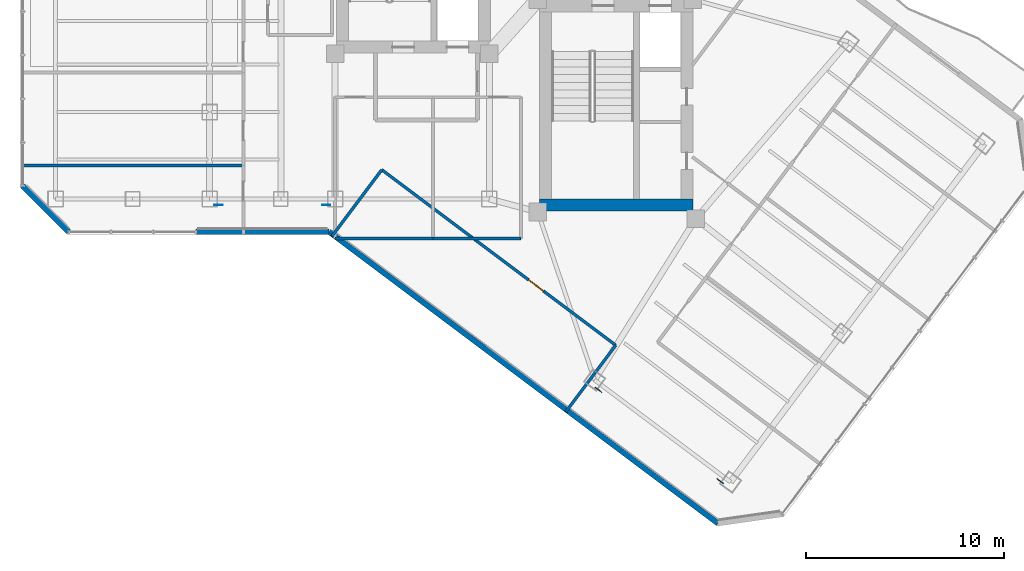
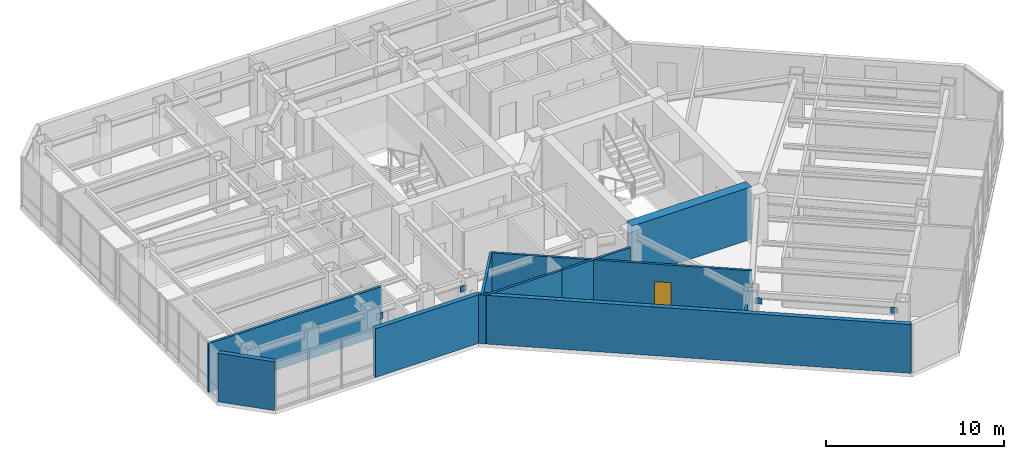
# One storey, part 21 of 27: 10 walls, 4 plates, 1 door, 1 opening.
"""IFC4 building model written with IfcOpenShell, lengths in metres."""

from ifc_helpers import new_model, si_unit, direction, frame, frame_2d, origin, origin_2d, place, context, subcontext, project, spatial, rectangle, extrude, material, layer, layer_set, type_object, element, fill, save


model = new_model("IFC4")

# Units and contexts
model_context = context("Model", 3, precision=1e-05, world=origin(), true_north=direction((0.0, 1.0)))
body_context = subcontext(model_context, "Body", "Model", "MODEL_VIEW")
ifc_project = project(units=[si_unit("LENGTHUNIT", "METRE"), si_unit("AREAUNIT", "SQUARE_METRE"), si_unit("VOLUMEUNIT", "CUBIC_METRE"), si_unit("PLANEANGLEUNIT", "RADIAN"), si_unit("MASSUNIT", "GRAM", prefix="KILO")], contexts=[model_context])

# Site, building, storey
site_placement = place(None, origin())
site = spatial("IfcSite", under=ifc_project, at=site_placement, CompositionType="ELEMENT")
building_placement = place(site_placement, origin())
building = spatial("IfcBuilding", under=site, at=building_placement, Name="Hatsunagi Terrace Concourse", CompositionType="ELEMENT")
storey_placement = place(building_placement, frame((0.0, 0.0, 163.64990234375)))
storey = spatial("IfcBuildingStorey", under=building, at=storey_placement, Name="L43", CompositionType="ELEMENT", Elevation=163.64990234375)

# Plates
ifc_material_1 = material(Name="Steel SN490C", Category="steel")
ifc_layer_1 = layer(ifc_material_1, 0.031982421875)
ifc_layer_set_1 = layer_set([ifc_layer_1], Name="XBraceNodeCapPlate_32")
plate_type = type_object("IfcPlateType", Name="XBraceNodeCapPlate_32", PredefinedType="USERDEFINED", material=ifc_layer_set_1)
for number, where, z_axis, x_axis, name in (
    (1, (19.64990234375, 24.89990234375, 2.7001953125), (0.0, 0.0, 1.0), (1.0, 0.0, 0.0), "Cast-In Core and Node Embed Plate GP-02 EP-XB-L41-W1-AT"),
    (2, (25.10009765625, 24.89990234375, 2.7001953125), (0.0, 0.0, 1.0), (1.0, 0.0, 0.0), "Cast-In Core and Node Embed Plate GP-02 EP-XB-L41-W1-BT"),
    (3, (38.8720703125, 15.5458984375, 2.7001953125), (0.0, 0.0, 1.0), (0.799999996291, -0.600000004945, 0.0), "Cast-In Core and Node Embed Plate GP-02 EP-XB-L41-SE-AT"),
    (4, (45.031982421875, 10.926025390625, 2.7001953125), (0.0, 0.0, 1.0), (0.799999996291, -0.600000004945, 0.0), "Cast-In Core and Node Embed Plate GP-02 EP-XB-L41-SE-BT"),
):
    element("IfcPlate", number, at=place(storey_placement, frame(where, z_axis=z_axis, x_axis=x_axis)), inside=storey, type_object=plate_type, Name=name, ObjectType="GUSSET_PLATE", PredefinedType="USERDEFINED", context=body_context, shape_type="SweptSolid", body=[
        extrude(rectangle(XDim=0.419921875, YDim=0.031982421875, at=origin_2d()), origin(), (0.0, 0.0, 1.0), 0.419921875),
    ])

# Walls
ifc_material_2 = material(Name="Concrete Fc48", Category="concrete")
ifc_layer_2 = layer(ifc_material_2, 0.60009765625)
ifc_layer_set_2 = layer_set([ifc_layer_2], Name="CoreShearWall_Fc48_600")
wall_type_1 = type_object("IfcWallType", Name="CoreShearWall_Fc48_600", PredefinedType="SHEAR", material=ifc_layer_set_2)
wall_1_placement = place(storey_placement, frame((35.889892578125, 24.889892578125, 0.0), z_axis=(0.0, 0.0, 1.0), x_axis=(1.0, 0.0, 0.0)))
element("IfcWall", 5, at=wall_1_placement, inside=storey, type_object=wall_type_1, Name="Core B Shear Wall S L43", PredefinedType="SHEAR", context=body_context, shape_type="SweptSolid", body=[
    extrude(rectangle(XDim=7.760009765625, YDim=0.60009765625, at=frame_2d((3.8798828125, 0.0))), origin(), (0.0, 0.0, 1.0), 3.60009765625),
])
ifc_material_3 = material(Name="Acoustic mineral board", Category="gypsum")
ifc_layer_3 = layer(ifc_material_3, 0.14990234375)
ifc_layer_set_3 = layer_set([ifc_layer_3], Name="PartitionWall_EI60_150")
wall_type_2 = type_object("IfcWallType", Name="PartitionWall_EI60_150", PredefinedType="PARTITIONING", material=ifc_layer_set_3)
wall_2_placement = place(storey_placement, frame((25.550048828125, 23.199951171875, 0.0), z_axis=(0.0, 0.0, 1.0), x_axis=(1.0, 0.0, 0.0)))
element("IfcWall", 6, at=wall_2_placement, inside=storey, type_object=wall_type_2, Name="Interior Partition IW-L43-026", PredefinedType="PARTITIONING", context=body_context, shape_type="SweptSolid", body=[
    extrude(rectangle(XDim=4.949951171875, YDim=0.14990234375, at=frame_2d((2.47509765625, 0.0))), origin(), (0.0, 0.0, 1.0), 3.35009765625),
])
wall_3_placement = place(storey_placement, frame((30.5, 23.199951171875, 0.0), z_axis=(0.0, 0.0, 1.0), x_axis=(1.0, 0.0, 0.0)))
element("IfcWall", 7, at=wall_3_placement, inside=storey, type_object=wall_type_2, Name="Interior Partition IW-L43-030", PredefinedType="PARTITIONING", context=body_context, shape_type="SweptSolid", body=[
    extrude(rectangle(XDim=4.449951171875, YDim=0.14990234375, at=frame_2d((2.22509765625, 0.0))), origin(), (0.0, 0.0, 1.0), 3.35009765625),
])
wall_4_placement = place(storey_placement, frame((9.639892578125, 26.89990234375, 0.0), z_axis=(0.0, 0.0, 1.0), x_axis=(1.0, 0.0, 0.0)))
element("IfcWall", 8, at=wall_4_placement, inside=storey, type_object=wall_type_2, Name="Interior Partition IW-L43-033", PredefinedType="PARTITIONING", context=body_context, shape_type="SweptSolid", body=[
    extrude(rectangle(XDim=11.260009765625, YDim=0.14990234375, at=frame_2d((5.6298828125, 0.0))), origin(), (0.0, 0.0, 1.0), 3.35009765625),
])

# Wall, opening, door
wall_5_placement = place(storey_placement, frame((27.909912109375, 26.679931640625, 0.0), z_axis=(0.0, 0.0, 1.0), x_axis=(0.800005938517, -0.599992081896, 0.0)))
wall_5 = element("IfcWall", 9, at=wall_5_placement, inside=storey, type_object=wall_type_2, Name="Interior Partition IW-L43-060", PredefinedType="PARTITIONING", context=body_context, shape_type="SweptSolid", body=[
    extrude(rectangle(XDim=14.800048828125, YDim=0.14990234375, at=frame_2d((7.39990234375, 0.0))), origin(), (0.0, 0.0, 1.0), 3.35009765625),
])
opening_placement = place(wall_5_placement, frame((9.281005859375, 0.0, 0.0)))
opening = element("IfcOpeningElement", 10, at=opening_placement, cuts=wall_5, Name="Opening DR-095", PredefinedType="OPENING", context=body_context, shape_type="SweptSolid", body=[
    extrude(rectangle(XDim=0.949951171875, YDim=2.14990234375, at=frame_2d((0.47509765625, 1.074951171875))), frame((0.0, 0.0849609375, 0.0), z_axis=(0.0, -1.0, 0.0), x_axis=(1.0, 0.0, 0.0)), (0.0, 0.0, 1.0), 0.169921875),
])
ifc_material_4 = material(Name="Hardwood timber", Category="wood")
door_type = type_object("IfcDoorType", Name="InteriorSuiteDoor_EI30_950", OperationType="NOTDEFINED", PredefinedType="DOOR", material=ifc_material_4)
door_placement = place(opening_placement, origin())
door = element("IfcDoor", 11, at=door_placement, inside=storey, type_object=door_type, Name="Research Focus Suite L43-OSWS Door", OperationType="SINGLE_SWING_RIGHT", OverallHeight=2.14990234375, OverallWidth=0.949951171875, PredefinedType="DOOR", context=body_context, shape_type="SweptSolid", body=[
    extrude(rectangle(XDim=0.949951171875, YDim=2.14990234375, at=frame_2d((0.47509765625, 1.074951171875))), frame((0.0, 0.02490234375, 0.0), z_axis=(0.0, -1.0, 0.0), x_axis=(1.0, 0.0, 0.0)), (0.0, 0.0, 1.0), 0.050048828125),
])
fill(opening, door)

# Walls
wall_6_placement = place(storey_placement, frame((25.384033203125, 23.31201171875, 0.0), z_axis=(0.0, 0.0, 1.0), x_axis=(0.599990721155, 0.80000695905, 0.0)))
element("IfcWall", 12, at=wall_6_placement, inside=storey, type_object=wall_type_2, Name="Interior Partition IW-L43-061", PredefinedType="PARTITIONING", context=body_context, shape_type="SweptSolid", body=[
    extrude(rectangle(XDim=4.2099609375, YDim=0.14990234375, at=frame_2d((2.10498046875, 0.0))), origin(), (0.0, 0.0, 1.0), 3.35009765625),
])
wall_7_placement = place(storey_placement, frame((37.22412109375, 14.431884765625, 0.0), z_axis=(0.0, 0.0, 1.0), x_axis=(0.599962885857, 0.800027834262, 0.0)))
element("IfcWall", 13, at=wall_7_placement, inside=storey, type_object=wall_type_2, Name="Interior Partition IW-L43-062", PredefinedType="PARTITIONING", context=body_context, shape_type="SweptSolid", body=[
    extrude(rectangle(XDim=4.2099609375, YDim=0.14990234375, at=frame_2d((2.10498046875, 0.0))), origin(), (0.0, 0.0, 1.0), 2.695068359375),
])
ifc_material_5 = material(Name="Autoclaved Lightweight Concrete and Terracotta Cladding", Category="masonry")
ifc_layer_4 = layer(ifc_material_5, 0.280029296875)
ifc_layer_set_4 = layer_set([ifc_layer_4], Name="TerracottaSpandrelWall_280")
wall_type_3 = type_object("IfcWallType", Name="TerracottaSpandrelWall_280", PredefinedType="STANDARD", material=ifc_layer_set_4)
wall_8_placement = place(storey_placement, frame((44.91796875, 8.787109375, 0.0), z_axis=(0.0, 0.0, 1.0), x_axis=(-0.800004765927, 0.599993645378, 0.0)))
element("IfcWall", 14, at=wall_8_placement, inside=storey, type_object=wall_type_3, Name="Exterior Spandrel Wall EW-L43-05", PredefinedType="STANDARD", context=body_context, shape_type="SweptSolid", body=[
    extrude(rectangle(XDim=24.58837890625, YDim=0.280029296875, at=frame_2d((12.294189453125, 0.0))), origin(), (0.0, 0.0, 1.0), 3.35009765625),
])
wall_9_placement = place(storey_placement, frame((25.2470703125, 23.5400390625, 0.0), z_axis=(0.0, 0.0, 1.0), x_axis=(-1.0, 0.0, 0.0)))
element("IfcWall", 15, at=wall_9_placement, inside=storey, type_object=wall_type_3, Name="Exterior Spandrel Wall EW-L43-06", PredefinedType="STANDARD", context=body_context, shape_type="SweptSolid", body=[
    extrude(rectangle(XDim=6.7470703125, YDim=0.280029296875, at=frame_2d((3.37353515625, 0.0))), origin(), (0.0, 0.0, 1.0), 3.35009765625),
])
wall_10_placement = place(storey_placement, frame((12.05810546875, 23.5400390625, 0.0), z_axis=(0.0, 0.0, 1.0), x_axis=(-0.707144017911, 0.707069542501, 0.0)))
element("IfcWall", 16, at=wall_10_placement, inside=storey, type_object=wall_type_3, Name="Exterior Spandrel Wall EW-L43-08", PredefinedType="STANDARD", context=body_context, shape_type="SweptSolid", body=[
    extrude(rectangle(XDim=3.278076171875, YDim=0.280029296875, at=frame_2d((1.63916015625, 0.0))), origin(), (0.0, 0.0, 1.0), 3.35009765625),
])

save(model, "model.ifc")
